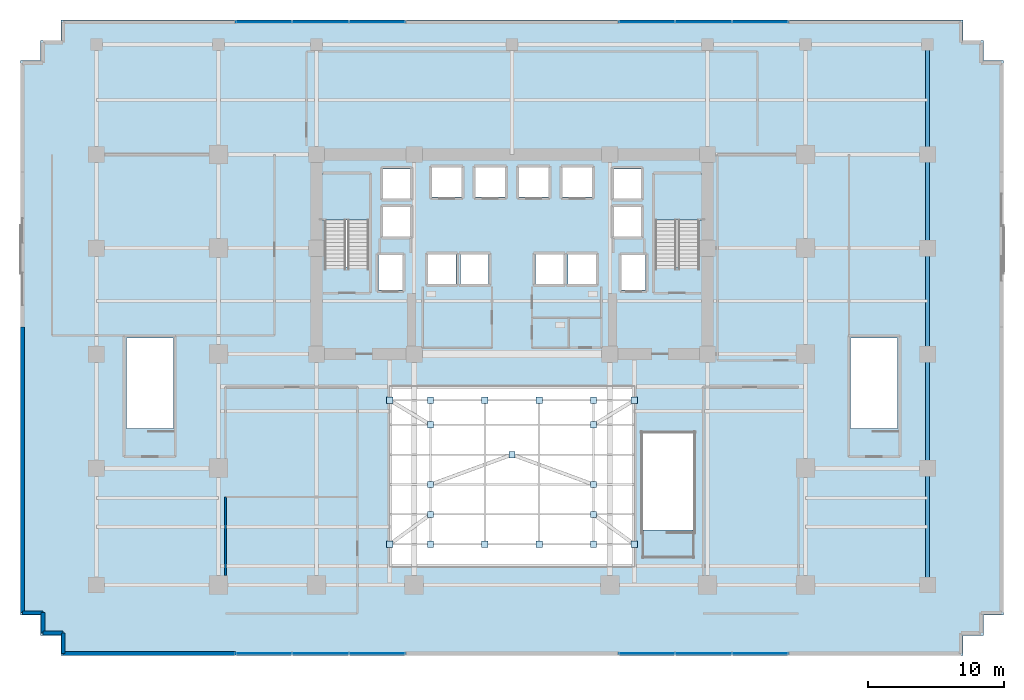
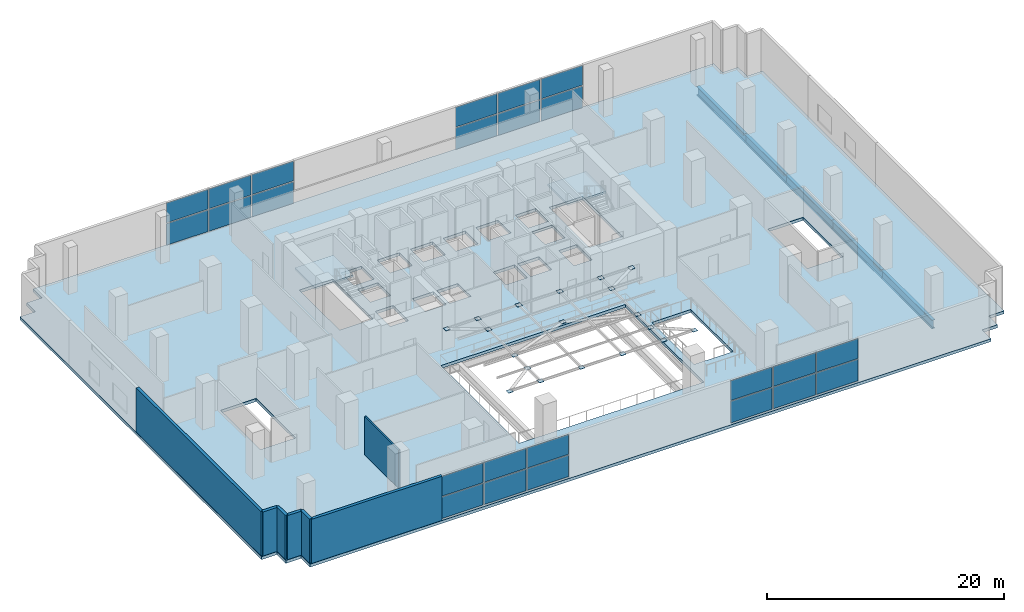
# One storey, part 14 of 22: 43 plates, 7 walls, 5 beams, 3 slabs, 6 elements without a shape of their own.
"""IFC4 building model written with IfcOpenShell, lengths in metres."""

from ifc_helpers import new_model, si_unit, direction, frame, frame_2d, origin, origin_2d, place, context, subcontext, project, spatial, polyline, rectangle, i_section, outline, extrude, source, transform, mapped, material, layer, layer_set, material_profile, profile_set, type_object, element, aggregate, save


model = new_model("IFC4")

# Units and contexts
model_context = context("Model", 3, precision=1e-05, world=origin(), true_north=direction((0.0, 1.0)))
body_context = subcontext(model_context, "Body", "Model", "MODEL_VIEW")
ifc_project = project(units=[si_unit("LENGTHUNIT", "METRE"), si_unit("AREAUNIT", "SQUARE_METRE"), si_unit("VOLUMEUNIT", "CUBIC_METRE"), si_unit("PLANEANGLEUNIT", "RADIAN"), si_unit("MASSUNIT", "GRAM", prefix="KILO")], contexts=[model_context])

# Site, building, storey
site_placement = place(None, origin())
site = spatial("IfcSite", under=ifc_project, at=site_placement, CompositionType="ELEMENT")
building_placement = place(site_placement, origin())
building = spatial("IfcBuilding", under=site, at=building_placement, Name="Zarnakvel Exchange Tower", CompositionType="ELEMENT")
storey_placement = place(building_placement, frame((0.0, 0.0, 22.60009765625)))
storey = spatial("IfcBuildingStorey", under=building, at=storey_placement, Name="L05", CompositionType="ELEMENT", Elevation=22.60009765625)

# Beams
ifc_material_1 = material(Name="Steel S355", Category="steel")
ifc_material_profile = material_profile(ifc_material_1, i_section(OverallWidth=0.300048828125, OverallDepth=0.89990234375, WebThickness=0.0185546875, FlangeThickness=0.034912109375, FilletRadius=0.030029296875, at=origin_2d()))
ifc_profile_set = profile_set([ifc_material_profile], Name="Steel S355")
beam_type = type_object("IfcBeamType", Name="G-01", PredefinedType="BEAM", material=ifc_profile_set)
beam_1_placement = place(storey_placement, frame((30.60009765625, -18.199951171875, -0.75), z_axis=(0.0, 1.0, 0.0), x_axis=(-1.0, 0.0, 0.0)))
element("IfcBeam", 1, at=beam_1_placement, inside=storey, type_object=beam_type, Name="L05 Primary N-S Girder X=+30.6", PredefinedType="BEAM", context=body_context, shape_type="SweptSolid", body=[
    extrude(i_section(OverallWidth=0.300048828125, OverallDepth=0.89990234375, WebThickness=0.0185546875, FlangeThickness=0.034912109375, FilletRadius=0.030029296875, at=origin_2d()), origin(), (0.0, 0.0, 1.0), 8.599853515625),
])
beam_2_placement = place(storey_placement, frame((30.60009765625, -9.60009765625, -0.75), z_axis=(0.0, 1.0, 0.0), x_axis=(-1.0, 0.0, 0.0)))
element("IfcBeam", 2, at=beam_2_placement, inside=storey, type_object=beam_type, Name="L05 Primary N-S Girder X=+30.6", PredefinedType="BEAM", context=body_context, shape_type="SweptSolid", body=[
    extrude(i_section(OverallWidth=0.300048828125, OverallDepth=0.89990234375, WebThickness=0.0185546875, FlangeThickness=0.034912109375, FilletRadius=0.030029296875, at=origin_2d()), origin(), (0.0, 0.0, 1.0), 8.400146484375),
])
beam_3_placement = place(storey_placement, frame((30.60009765625, -1.199951171875, -0.75), z_axis=(0.0, 1.0, 0.0), x_axis=(-1.0, 0.0, 0.0)))
element("IfcBeam", 3, at=beam_3_placement, inside=storey, type_object=beam_type, Name="L05 Primary N-S Girder X=+30.6", PredefinedType="BEAM", context=body_context, shape_type="SweptSolid", body=[
    extrude(i_section(OverallWidth=0.300048828125, OverallDepth=0.89990234375, WebThickness=0.0185546875, FlangeThickness=0.034912109375, FilletRadius=0.030029296875, at=origin_2d()), origin(), (0.0, 0.0, 1.0), 7.800048828125),
])
beam_4_placement = place(storey_placement, frame((30.60009765625, 6.60009765625, -0.75), z_axis=(0.0, 1.0, 0.0), x_axis=(-1.0, 0.0, 0.0)))
element("IfcBeam", 4, at=beam_4_placement, inside=storey, type_object=beam_type, Name="L05 Primary N-S Girder X=+30.6", PredefinedType="BEAM", context=body_context, shape_type="SweptSolid", body=[
    extrude(i_section(OverallWidth=0.300048828125, OverallDepth=0.89990234375, WebThickness=0.0185546875, FlangeThickness=0.034912109375, FilletRadius=0.030029296875, at=origin_2d()), origin(), (0.0, 0.0, 1.0), 6.89990234375),
])
beam_5_placement = place(storey_placement, frame((30.60009765625, 13.5, -0.75), z_axis=(0.0, 1.0, 0.0), x_axis=(-1.0, 0.0, 0.0)))
element("IfcBeam", 5, at=beam_5_placement, inside=storey, type_object=beam_type, Name="L05 Primary N-S Girder X=+30.6", PredefinedType="BEAM", context=body_context, shape_type="SweptSolid", body=[
    extrude(i_section(OverallWidth=0.300048828125, OverallDepth=0.89990234375, WebThickness=0.0185546875, FlangeThickness=0.034912109375, FilletRadius=0.030029296875, at=origin_2d()), origin(), (0.0, 0.0, 1.0), 8.10009765625),
])

# Stair, slab
ifc_material_2 = material(Name="Concrete C40/50", Category="concrete")
stair_type = type_object("IfcStairType", Name="STR-01", PredefinedType="HALF_TURN_STAIR", material=ifc_material_2)
stair_1_placement = place(storey_placement, origin())
stair_1 = element("IfcStair", 6, at=stair_1_placement, inside=storey, type_object=stair_type, Name="L05 Protected Core Exit Stair ST-01", PredefinedType="HALF_TURN_STAIR")
ifc_layer_1 = layer(ifc_material_2, 0.199951171875)
ifc_layer_set_1 = layer_set([ifc_layer_1], Name="Concrete C40/50")
slab_type_1 = type_object("IfcSlabType", Name="LDG-01", PredefinedType="LANDING", material=ifc_layer_set_1)
slab_1_placement = place(storey_placement, frame((0.0, 0.0, 2.199951171875)))
slab_1 = element("IfcSlab", 7, at=slab_1_placement, type_object=slab_type_1, Name="ST-01 landing 1", PredefinedType="LANDING", context=body_context, shape_type="SweptSolid", body=[
    extrude(outline(polyline([(-14.18994140625, 8.68994140625), (-10.4599609375, 8.68994140625), (-10.4599609375, 12.080078125), (-14.18994140625, 12.080078125), (-14.18994140625, 8.68994140625)])), origin(), (0.0, 0.0, 1.0), 0.199951171875),
])
aggregate(stair_1, [slab_1])

stair_2_placement = place(storey_placement, origin())
stair_2 = element("IfcStair", 8, at=stair_2_placement, inside=storey, type_object=stair_type, Name="L05 Protected Core Exit Stair ST-02", PredefinedType="HALF_TURN_STAIR")
slab_2_placement = place(storey_placement, frame((0.0, 0.0, 2.199951171875)))
slab_2 = element("IfcSlab", 9, at=slab_2_placement, type_object=slab_type_1, Name="ST-02 landing 1", PredefinedType="LANDING", context=body_context, shape_type="SweptSolid", body=[
    extrude(outline(polyline([(10.4599609375, 8.68994140625), (14.18994140625, 8.68994140625), (14.18994140625, 12.080078125), (10.4599609375, 12.080078125), (10.4599609375, 8.68994140625)])), origin(), (0.0, 0.0, 1.0), 0.199951171875),
])
aggregate(stair_2, [slab_2])

# Slab
ifc_layer_2 = layer(ifc_material_2, 0.300048828125)
ifc_layer_set_2 = layer_set([ifc_layer_2], Name="Concrete C40/50")
slab_type_2 = type_object("IfcSlabType", Name="SL-01", PredefinedType="FLOOR", material=ifc_layer_set_2)
slab_3_placement = place(storey_placement, frame((0.0, 0.0, -0.300048828125)))
element("IfcSlab", 10, at=slab_3_placement, inside=storey, type_object=slab_type_2, Name="L05 Primary Structural Floor Slab", PredefinedType="FLOOR", context=body_context, shape_type="SweptSolid", body=[
    extrude(outline(polyline([(-36.199951171875, -20.39990234375), (-34.699951171875, -20.39990234375), (-34.699951171875, -21.89990234375), (-33.199951171875, -21.89990234375), (-33.199951171875, -23.39990234375), (33.199951171875, -23.39990234375), (33.199951171875, -21.89990234375), (34.699951171875, -21.89990234375), (34.699951171875, -20.39990234375), (36.199951171875, -20.39990234375), (36.199951171875, 20.39990234375), (34.699951171875, 20.39990234375), (34.699951171875, 21.89990234375), (33.199951171875, 21.89990234375), (33.199951171875, 23.39990234375), (-33.199951171875, 23.39990234375), (-33.199951171875, 21.89990234375), (-34.699951171875, 21.89990234375), (-34.699951171875, 20.39990234375), (-36.199951171875, 20.39990234375), (-36.199951171875, -20.39990234375)]), holes=[polyline([(-9.0, -16.800048828125), (9.0, -16.800048828125), (9.0, -3.60009765625), (-9.0, -3.60009765625), (-9.0, -16.800048828125)]), polyline([(-13.800048828125, 5.2099609375), (-10.5400390625, 5.2099609375), (-10.5400390625, 12.0), (-13.800048828125, 12.0), (-13.800048828125, 5.2099609375)]), polyline([(10.5400390625, 5.2099609375), (13.800048828125, 5.2099609375), (13.800048828125, 12.0), (10.5400390625, 12.0), (10.5400390625, 5.2099609375)]), polyline([(-28.39990234375, -6.68994140625), (-24.93994140625, -6.68994140625), (-24.93994140625, 0.0), (-28.39990234375, 0.0), (-28.39990234375, -6.68994140625)]), polyline([(24.93994140625, -6.68994140625), (28.39990234375, -6.68994140625), (28.39990234375, 0.0), (24.93994140625, 0.0), (24.93994140625, -6.68994140625)]), polyline([(9.60009765625, -14.139892578125), (13.39990234375, -14.139892578125), (13.39990234375, -7.0), (9.60009765625, -7.0), (9.60009765625, -14.139892578125)]), polyline([(-9.830078125, 3.52001953125), (-8.070068359375, 3.52001953125), (-8.070068359375, 6.080078125), (-9.830078125, 6.080078125), (-9.830078125, 3.52001953125)]), polyline([(8.070068359375, 3.52001953125), (9.830078125, 3.52001953125), (9.830078125, 6.080078125), (8.070068359375, 6.080078125), (8.070068359375, 3.52001953125)]), polyline([(-5.8798828125, 10.3701171875), (-3.719970703125, 10.3701171875), (-3.719970703125, 12.530029296875), (-5.8798828125, 12.530029296875), (-5.8798828125, 10.3701171875)]), polyline([(-2.679931640625, 10.3701171875), (-0.52001953125, 10.3701171875), (-0.52001953125, 12.530029296875), (-2.679931640625, 12.530029296875), (-2.679931640625, 10.3701171875)]), polyline([(0.52001953125, 10.3701171875), (2.679931640625, 10.3701171875), (2.679931640625, 12.530029296875), (0.52001953125, 12.530029296875), (0.52001953125, 10.3701171875)]), polyline([(3.719970703125, 10.3701171875), (5.8798828125, 10.3701171875), (5.8798828125, 12.530029296875), (3.719970703125, 12.530029296875), (3.719970703125, 10.3701171875)]), polyline([(-6.179931640625, 3.969970703125), (-4.1201171875, 3.969970703125), (-4.1201171875, 6.1298828125), (-6.179931640625, 6.1298828125), (-6.179931640625, 3.969970703125)]), polyline([(-3.780029296875, 3.969970703125), (-1.719970703125, 3.969970703125), (-1.719970703125, 6.1298828125), (-3.780029296875, 6.1298828125), (-3.780029296875, 3.969970703125)]), polyline([(1.719970703125, 3.969970703125), (3.780029296875, 3.969970703125), (3.780029296875, 6.1298828125), (1.719970703125, 6.1298828125), (1.719970703125, 3.969970703125)]), polyline([(4.1201171875, 3.969970703125), (6.179931640625, 3.969970703125), (6.179931640625, 6.1298828125), (4.1201171875, 6.1298828125), (4.1201171875, 3.969970703125)]), polyline([(-9.47998046875, 7.469970703125), (-7.52001953125, 7.469970703125), (-7.52001953125, 9.6298828125), (-9.47998046875, 9.6298828125), (-9.47998046875, 7.469970703125)]), polyline([(-9.47998046875, 10.27001953125), (-7.52001953125, 10.27001953125), (-7.52001953125, 12.429931640625), (-9.47998046875, 12.429931640625), (-9.47998046875, 10.27001953125)]), polyline([(7.52001953125, 7.469970703125), (9.47998046875, 7.469970703125), (9.47998046875, 9.6298828125), (7.52001953125, 9.6298828125), (7.52001953125, 7.469970703125)]), polyline([(7.52001953125, 10.27001953125), (9.47998046875, 10.27001953125), (9.47998046875, 12.429931640625), (7.52001953125, 12.429931640625), (7.52001953125, 10.27001953125)])]), origin(), (0.0, 0.0, 1.0), 0.300048828125),
])

# Plates
ifc_layer_3 = layer(ifc_material_1, 0.028076171875)
ifc_layer_set_3 = layer_set([ifc_layer_3], Name="Steel S355")
plate_type_1 = type_object("IfcPlateType", Name="BP-02", PredefinedType="USERDEFINED", material=ifc_layer_set_3)
shared_shape_1 = source(origin(), body_context, "Body", "SweptSolid", [
    extrude(rectangle(XDim=0.4599609375, YDim=0.4599609375, at=origin_2d()), origin(), (0.0, 0.0, 1.0), 0.028076171875),
])
for number, where, z_axis, x_axis, name in (
    (11, (-6.0, -15.199951171875, 4.390625), (0.0, 0.0, 1.0), (1.0, 0.0, 0.0), "L05 Purlin End Cap Plate 1S"),
    (12, (-6.0, -4.60009765625, 4.390625), (0.0, 0.0, 1.0), (1.0, 0.0, 0.0), "L05 Purlin End Cap Plate 1N"),
    (13, (-2.0, -15.199951171875, 4.390625), (0.0, 0.0, 1.0), (1.0, 0.0, 0.0), "L05 Purlin End Cap Plate 2S"),
    (14, (-2.0, -4.60009765625, 4.390625), (0.0, 0.0, 1.0), (1.0, 0.0, 0.0), "L05 Purlin End Cap Plate 2N"),
    (15, (2.0, -15.199951171875, 4.390625), (0.0, 0.0, 1.0), (1.0, 0.0, 0.0), "L05 Purlin End Cap Plate 3S"),
    (16, (2.0, -4.60009765625, 4.390625), (0.0, 0.0, 1.0), (1.0, 0.0, 0.0), "L05 Purlin End Cap Plate 3N"),
    (17, (6.0, -15.199951171875, 4.390625), (0.0, 0.0, 1.0), (1.0, 0.0, 0.0), "L05 Purlin End Cap Plate 4S"),
    (18, (6.0, -4.60009765625, 4.390625), (0.0, 0.0, 1.0), (1.0, 0.0, 0.0), "L05 Purlin End Cap Plate 4N"),
    (19, (-9.0, -15.199951171875, 4.3759765625), (0.0, 0.0, 1.0), (1.0, 0.0, 0.0), "L05 Brace End Cap 1A"),
    (20, (-6.0, -13.0, 4.3759765625), (0.0, 0.0, 1.0), (1.0, 0.0, 0.0), "L05 Brace End Cap 1B"),
    (21, (9.0, -15.199951171875, 4.3759765625), (0.0, 0.0, 1.0), (1.0, 0.0, 0.0), "L05 Brace End Cap 2A"),
    (22, (6.0, -13.0, 4.3759765625), (0.0, 0.0, 1.0), (1.0, 0.0, 0.0), "L05 Brace End Cap 2B"),
    (23, (-9.0, -4.60009765625, 4.3759765625), (0.0, 0.0, 1.0), (1.0, 0.0, 0.0), "L05 Brace End Cap 3A"),
    (24, (-6.0, -6.39990234375, 4.3759765625), (0.0, 0.0, 1.0), (1.0, 0.0, 0.0), "L05 Brace End Cap 3B"),
    (25, (9.0, -4.60009765625, 4.3759765625), (0.0, 0.0, 1.0), (1.0, 0.0, 0.0), "L05 Brace End Cap 4A"),
    (26, (6.0, -6.39990234375, 4.3759765625), (0.0, 0.0, 1.0), (1.0, 0.0, 0.0), "L05 Brace End Cap 4B"),
    (27, (-6.0, -10.800048828125, 4.3759765625), (0.0, 0.0, 1.0), (1.0, 0.0, 0.0), "L05 Brace End Cap 5A"),
    (28, (0.0, -8.60009765625, 4.3759765625), (0.0, 0.0, 1.0), (1.0, 0.0, 0.0), "L05 Brace End Cap 5B"),
    (29, (6.0, -10.800048828125, 4.3759765625), (0.0, 0.0, 1.0), (1.0, 0.0, 0.0), "L05 Brace End Cap 6A"),
):
    element("IfcPlate", number, at=place(storey_placement, frame(where, z_axis=z_axis, x_axis=x_axis)), inside=storey, type_object=plate_type_1, Name=name, ObjectType="BASE_PLATE", PredefinedType="USERDEFINED", context=body_context, shape_type="MappedRepresentation", body=[
        mapped(shared_shape_1, transform((0.0, 0.0, 0.0), x_axis=(1.0, 0.0, 0.0), y_axis=(0.0, 1.0, 0.0), z_axis=(0.0, 0.0, 1.0), scale=1.0)),
    ])

# Curtain wall, plates
ifc_material_3 = material(Name="Architectural Bronze Anodised Aluminium", Category="aluminium")
ifc_layer_4 = layer(ifc_material_3, 0.260009765625)
ifc_layer_set_4 = layer_set([ifc_layer_4], Name="Architectural Bronze Anodised Aluminium")
curtain_wall_type = type_object("IfcCurtainWallType", Name="CW-01", PredefinedType="NOTDEFINED", material=ifc_layer_set_4)
curtain_wall_1_placement = place(storey_placement, origin())
curtain_wall_1 = element("IfcCurtainWall", 30, at=curtain_wall_1_placement, inside=storey, type_object=curtain_wall_type, Name="L05 Curtain Wall CW-L05-S1 (CW-01)", PredefinedType="NOTDEFINED")
ifc_material_4 = material(Name="Double Low-E Laminated Vision Glass", Category="glass")
ifc_layer_5 = layer(ifc_material_4, 0.035888671875)
ifc_layer_set_5 = layer_set([ifc_layer_5], Name="Double Low-E Laminated Vision Glass")
plate_type_2 = type_object("IfcPlateType", Name="CWP-01", PredefinedType="CURTAIN_PANEL", material=ifc_layer_set_5)
shared_shape_2 = source(origin(), body_context, "Body", "SweptSolid", [
    extrude(rectangle(XDim=4.050048828125, YDim=0.035888671875, at=origin_2d()), origin(), (0.0, 0.0, 1.0), 2.220703125),
])
plate_1_placement = place(storey_placement, frame((-18.27490234375, -23.239990234375, 0.08984375), z_axis=(0.0, 0.0, 1.0), x_axis=(1.0, 0.0, 0.0)))
plate_1 = element("IfcPlate", 31, at=plate_1_placement, type_object=plate_type_2, Name="CW-01 panel 1.1", PredefinedType="CURTAIN_PANEL", context=body_context, shape_type="MappedRepresentation", body=[
    mapped(shared_shape_2, transform((0.0, 0.0, 0.0), x_axis=(1.0, 0.0, 0.0), y_axis=(0.0, 1.0, 0.0), z_axis=(0.0, 0.0, 1.0), scale=1.0)),
])
plate_2_placement = place(storey_placement, frame((-9.925048828125, -23.239990234375, 0.08984375), z_axis=(0.0, 0.0, 1.0), x_axis=(1.0, 0.0, 0.0)))
plate_2 = element("IfcPlate", 32, at=plate_2_placement, type_object=plate_type_2, Name="CW-01 panel 3.1", PredefinedType="CURTAIN_PANEL", context=body_context, shape_type="MappedRepresentation", body=[
    mapped(shared_shape_2, transform((0.0, 0.0, 0.0), x_axis=(1.0, 0.0, 0.0), y_axis=(0.0, 1.0, 0.0), z_axis=(0.0, 0.0, 1.0), scale=1.0)),
])

curtain_wall_2_placement = place(storey_placement, origin())
curtain_wall_2 = element("IfcCurtainWall", 33, at=curtain_wall_2_placement, inside=storey, type_object=curtain_wall_type, Name="L05 Curtain Wall CW-L05-S2 (CW-01)", PredefinedType="NOTDEFINED")
plate_3_placement = place(storey_placement, frame((9.925048828125, -23.239990234375, 0.08984375), z_axis=(0.0, 0.0, 1.0), x_axis=(1.0, 0.0, 0.0)))
plate_3 = element("IfcPlate", 34, at=plate_3_placement, type_object=plate_type_2, Name="CW-01 panel 1.1", PredefinedType="CURTAIN_PANEL", context=body_context, shape_type="MappedRepresentation", body=[
    mapped(shared_shape_2, transform((0.0, 0.0, 0.0), x_axis=(1.0, 0.0, 0.0), y_axis=(0.0, 1.0, 0.0), z_axis=(0.0, 0.0, 1.0), scale=1.0)),
])
plate_4_placement = place(storey_placement, frame((18.27490234375, -23.239990234375, 0.08984375), z_axis=(0.0, 0.0, 1.0), x_axis=(1.0, 0.0, 0.0)))
plate_4 = element("IfcPlate", 35, at=plate_4_placement, type_object=plate_type_2, Name="CW-01 panel 3.1", PredefinedType="CURTAIN_PANEL", context=body_context, shape_type="MappedRepresentation", body=[
    mapped(shared_shape_2, transform((0.0, 0.0, 0.0), x_axis=(1.0, 0.0, 0.0), y_axis=(0.0, 1.0, 0.0), z_axis=(0.0, 0.0, 1.0), scale=1.0)),
])

curtain_wall_3_placement = place(storey_placement, origin())
curtain_wall_3 = element("IfcCurtainWall", 36, at=curtain_wall_3_placement, inside=storey, type_object=curtain_wall_type, Name="L05 Curtain Wall CW-L05-N1 (CW-01)", PredefinedType="NOTDEFINED")
plate_5_placement = place(storey_placement, frame((-18.27490234375, 23.239990234375, 0.08984375), z_axis=(0.0, 0.0, 1.0), x_axis=(1.0, 0.0, 0.0)))
plate_5 = element("IfcPlate", 37, at=plate_5_placement, type_object=plate_type_2, Name="CW-01 panel 1.1", PredefinedType="CURTAIN_PANEL", context=body_context, shape_type="MappedRepresentation", body=[
    mapped(shared_shape_2, transform((0.0, 0.0, 0.0), x_axis=(1.0, 0.0, 0.0), y_axis=(0.0, 1.0, 0.0), z_axis=(0.0, 0.0, 1.0), scale=1.0)),
])
plate_6_placement = place(storey_placement, frame((-9.925048828125, 23.239990234375, 0.08984375), z_axis=(0.0, 0.0, 1.0), x_axis=(1.0, 0.0, 0.0)))
plate_6 = element("IfcPlate", 38, at=plate_6_placement, type_object=plate_type_2, Name="CW-01 panel 3.1", PredefinedType="CURTAIN_PANEL", context=body_context, shape_type="MappedRepresentation", body=[
    mapped(shared_shape_2, transform((0.0, 0.0, 0.0), x_axis=(1.0, 0.0, 0.0), y_axis=(0.0, 1.0, 0.0), z_axis=(0.0, 0.0, 1.0), scale=1.0)),
])

curtain_wall_4_placement = place(storey_placement, origin())
curtain_wall_4 = element("IfcCurtainWall", 39, at=curtain_wall_4_placement, inside=storey, type_object=curtain_wall_type, Name="L05 Curtain Wall CW-L05-N2 (CW-01)", PredefinedType="NOTDEFINED")
plate_7_placement = place(storey_placement, frame((9.925048828125, 23.239990234375, 0.08984375), z_axis=(0.0, 0.0, 1.0), x_axis=(1.0, 0.0, 0.0)))
plate_7 = element("IfcPlate", 40, at=plate_7_placement, type_object=plate_type_2, Name="CW-01 panel 1.1", PredefinedType="CURTAIN_PANEL", context=body_context, shape_type="MappedRepresentation", body=[
    mapped(shared_shape_2, transform((0.0, 0.0, 0.0), x_axis=(1.0, 0.0, 0.0), y_axis=(0.0, 1.0, 0.0), z_axis=(0.0, 0.0, 1.0), scale=1.0)),
])
plate_8_placement = place(storey_placement, frame((18.27490234375, 23.239990234375, 0.08984375), z_axis=(0.0, 0.0, 1.0), x_axis=(1.0, 0.0, 0.0)))
plate_8 = element("IfcPlate", 41, at=plate_8_placement, type_object=plate_type_2, Name="CW-01 panel 3.1", PredefinedType="CURTAIN_PANEL", context=body_context, shape_type="MappedRepresentation", body=[
    mapped(shared_shape_2, transform((0.0, 0.0, 0.0), x_axis=(1.0, 0.0, 0.0), y_axis=(0.0, 1.0, 0.0), z_axis=(0.0, 0.0, 1.0), scale=1.0)),
])

# Plate
shared_shape_3 = source(origin(), body_context, "Body", "SweptSolid", [
    extrude(rectangle(XDim=4.050048828125, YDim=0.035888671875, at=origin_2d()), origin(), (0.0, 0.0, 1.0), 2.039306640625),
])
plate_9_placement = place(storey_placement, frame((-18.27490234375, -23.239990234375, 2.400390625), z_axis=(0.0, 0.0, 1.0), x_axis=(1.0, 0.0, 0.0)))
plate_9 = element("IfcPlate", 42, at=plate_9_placement, type_object=plate_type_2, Name="CW-01 panel 1.2", PredefinedType="CURTAIN_PANEL", context=body_context, shape_type="MappedRepresentation", body=[
    mapped(shared_shape_3, transform((0.0, 0.0, 0.0), x_axis=(1.0, 0.0, 0.0), y_axis=(0.0, 1.0, 0.0), z_axis=(0.0, 0.0, 1.0), scale=1.0)),
])

plate_10_placement = place(storey_placement, frame((-9.925048828125, -23.239990234375, 2.400390625), z_axis=(0.0, 0.0, 1.0), x_axis=(1.0, 0.0, 0.0)))
plate_10 = element("IfcPlate", 43, at=plate_10_placement, type_object=plate_type_2, Name="CW-01 panel 3.2", PredefinedType="CURTAIN_PANEL", context=body_context, shape_type="MappedRepresentation", body=[
    mapped(shared_shape_3, transform((0.0, 0.0, 0.0), x_axis=(1.0, 0.0, 0.0), y_axis=(0.0, 1.0, 0.0), z_axis=(0.0, 0.0, 1.0), scale=1.0)),
])

plate_11_placement = place(storey_placement, frame((9.925048828125, -23.239990234375, 2.400390625), z_axis=(0.0, 0.0, 1.0), x_axis=(1.0, 0.0, 0.0)))
plate_11 = element("IfcPlate", 44, at=plate_11_placement, type_object=plate_type_2, Name="CW-01 panel 1.2", PredefinedType="CURTAIN_PANEL", context=body_context, shape_type="MappedRepresentation", body=[
    mapped(shared_shape_3, transform((0.0, 0.0, 0.0), x_axis=(1.0, 0.0, 0.0), y_axis=(0.0, 1.0, 0.0), z_axis=(0.0, 0.0, 1.0), scale=1.0)),
])

plate_12_placement = place(storey_placement, frame((18.27490234375, -23.239990234375, 2.400390625), z_axis=(0.0, 0.0, 1.0), x_axis=(1.0, 0.0, 0.0)))
plate_12 = element("IfcPlate", 45, at=plate_12_placement, type_object=plate_type_2, Name="CW-01 panel 3.2", PredefinedType="CURTAIN_PANEL", context=body_context, shape_type="MappedRepresentation", body=[
    mapped(shared_shape_3, transform((0.0, 0.0, 0.0), x_axis=(1.0, 0.0, 0.0), y_axis=(0.0, 1.0, 0.0), z_axis=(0.0, 0.0, 1.0), scale=1.0)),
])

plate_13_placement = place(storey_placement, frame((-18.27490234375, 23.239990234375, 2.400390625), z_axis=(0.0, 0.0, 1.0), x_axis=(1.0, 0.0, 0.0)))
plate_13 = element("IfcPlate", 46, at=plate_13_placement, type_object=plate_type_2, Name="CW-01 panel 1.2", PredefinedType="CURTAIN_PANEL", context=body_context, shape_type="MappedRepresentation", body=[
    mapped(shared_shape_3, transform((0.0, 0.0, 0.0), x_axis=(1.0, 0.0, 0.0), y_axis=(0.0, 1.0, 0.0), z_axis=(0.0, 0.0, 1.0), scale=1.0)),
])

plate_14_placement = place(storey_placement, frame((-9.925048828125, 23.239990234375, 2.400390625), z_axis=(0.0, 0.0, 1.0), x_axis=(1.0, 0.0, 0.0)))
plate_14 = element("IfcPlate", 47, at=plate_14_placement, type_object=plate_type_2, Name="CW-01 panel 3.2", PredefinedType="CURTAIN_PANEL", context=body_context, shape_type="MappedRepresentation", body=[
    mapped(shared_shape_3, transform((0.0, 0.0, 0.0), x_axis=(1.0, 0.0, 0.0), y_axis=(0.0, 1.0, 0.0), z_axis=(0.0, 0.0, 1.0), scale=1.0)),
])

plate_15_placement = place(storey_placement, frame((9.925048828125, 23.239990234375, 2.400390625), z_axis=(0.0, 0.0, 1.0), x_axis=(1.0, 0.0, 0.0)))
plate_15 = element("IfcPlate", 48, at=plate_15_placement, type_object=plate_type_2, Name="CW-01 panel 1.2", PredefinedType="CURTAIN_PANEL", context=body_context, shape_type="MappedRepresentation", body=[
    mapped(shared_shape_3, transform((0.0, 0.0, 0.0), x_axis=(1.0, 0.0, 0.0), y_axis=(0.0, 1.0, 0.0), z_axis=(0.0, 0.0, 1.0), scale=1.0)),
])

plate_16_placement = place(storey_placement, frame((18.27490234375, 23.239990234375, 2.400390625), z_axis=(0.0, 0.0, 1.0), x_axis=(1.0, 0.0, 0.0)))
plate_16 = element("IfcPlate", 49, at=plate_16_placement, type_object=plate_type_2, Name="CW-01 panel 3.2", PredefinedType="CURTAIN_PANEL", context=body_context, shape_type="MappedRepresentation", body=[
    mapped(shared_shape_3, transform((0.0, 0.0, 0.0), x_axis=(1.0, 0.0, 0.0), y_axis=(0.0, 1.0, 0.0), z_axis=(0.0, 0.0, 1.0), scale=1.0)),
])

shared_shape_4 = source(origin(), body_context, "Body", "SweptSolid", [
    extrude(rectangle(XDim=4.10009765625, YDim=0.035888671875, at=origin_2d()), origin(), (0.0, 0.0, 1.0), 2.220703125),
])
plate_17_placement = place(storey_placement, frame((-14.10009765625, -23.239990234375, 0.08984375), z_axis=(0.0, 0.0, 1.0), x_axis=(1.0, 0.0, 0.0)))
plate_17 = element("IfcPlate", 50, at=plate_17_placement, type_object=plate_type_2, Name="CW-01 panel 2.1", PredefinedType="CURTAIN_PANEL", context=body_context, shape_type="MappedRepresentation", body=[
    mapped(shared_shape_4, transform((0.0, 0.0, 0.0), x_axis=(1.0, 0.0, 0.0), y_axis=(0.0, 1.0, 0.0), z_axis=(0.0, 0.0, 1.0), scale=1.0)),
])

plate_18_placement = place(storey_placement, frame((14.10009765625, -23.239990234375, 0.08984375), z_axis=(0.0, 0.0, 1.0), x_axis=(1.0, 0.0, 0.0)))
plate_18 = element("IfcPlate", 51, at=plate_18_placement, type_object=plate_type_2, Name="CW-01 panel 2.1", PredefinedType="CURTAIN_PANEL", context=body_context, shape_type="MappedRepresentation", body=[
    mapped(shared_shape_4, transform((0.0, 0.0, 0.0), x_axis=(1.0, 0.0, 0.0), y_axis=(0.0, 1.0, 0.0), z_axis=(0.0, 0.0, 1.0), scale=1.0)),
])

plate_19_placement = place(storey_placement, frame((-14.10009765625, 23.239990234375, 0.08984375), z_axis=(0.0, 0.0, 1.0), x_axis=(1.0, 0.0, 0.0)))
plate_19 = element("IfcPlate", 52, at=plate_19_placement, type_object=plate_type_2, Name="CW-01 panel 2.1", PredefinedType="CURTAIN_PANEL", context=body_context, shape_type="MappedRepresentation", body=[
    mapped(shared_shape_4, transform((0.0, 0.0, 0.0), x_axis=(1.0, 0.0, 0.0), y_axis=(0.0, 1.0, 0.0), z_axis=(0.0, 0.0, 1.0), scale=1.0)),
])

plate_20_placement = place(storey_placement, frame((14.10009765625, 23.239990234375, 0.08984375), z_axis=(0.0, 0.0, 1.0), x_axis=(1.0, 0.0, 0.0)))
plate_20 = element("IfcPlate", 53, at=plate_20_placement, type_object=plate_type_2, Name="CW-01 panel 2.1", PredefinedType="CURTAIN_PANEL", context=body_context, shape_type="MappedRepresentation", body=[
    mapped(shared_shape_4, transform((0.0, 0.0, 0.0), x_axis=(1.0, 0.0, 0.0), y_axis=(0.0, 1.0, 0.0), z_axis=(0.0, 0.0, 1.0), scale=1.0)),
])

shared_shape_5 = source(origin(), body_context, "Body", "SweptSolid", [
    extrude(rectangle(XDim=4.10009765625, YDim=0.035888671875, at=origin_2d()), origin(), (0.0, 0.0, 1.0), 2.039306640625),
])
plate_21_placement = place(storey_placement, frame((-14.10009765625, -23.239990234375, 2.400390625), z_axis=(0.0, 0.0, 1.0), x_axis=(1.0, 0.0, 0.0)))
plate_21 = element("IfcPlate", 54, at=plate_21_placement, type_object=plate_type_2, Name="CW-01 panel 2.2", PredefinedType="CURTAIN_PANEL", context=body_context, shape_type="MappedRepresentation", body=[
    mapped(shared_shape_5, transform((0.0, 0.0, 0.0), x_axis=(1.0, 0.0, 0.0), y_axis=(0.0, 1.0, 0.0), z_axis=(0.0, 0.0, 1.0), scale=1.0)),
])

aggregate(curtain_wall_1, [plate_1, plate_9, plate_17, plate_21, plate_2, plate_10])

plate_22_placement = place(storey_placement, frame((14.10009765625, -23.239990234375, 2.400390625), z_axis=(0.0, 0.0, 1.0), x_axis=(1.0, 0.0, 0.0)))
plate_22 = element("IfcPlate", 55, at=plate_22_placement, type_object=plate_type_2, Name="CW-01 panel 2.2", PredefinedType="CURTAIN_PANEL", context=body_context, shape_type="MappedRepresentation", body=[
    mapped(shared_shape_5, transform((0.0, 0.0, 0.0), x_axis=(1.0, 0.0, 0.0), y_axis=(0.0, 1.0, 0.0), z_axis=(0.0, 0.0, 1.0), scale=1.0)),
])

aggregate(curtain_wall_2, [plate_3, plate_11, plate_18, plate_22, plate_4, plate_12])

plate_23_placement = place(storey_placement, frame((-14.10009765625, 23.239990234375, 2.400390625), z_axis=(0.0, 0.0, 1.0), x_axis=(1.0, 0.0, 0.0)))
plate_23 = element("IfcPlate", 56, at=plate_23_placement, type_object=plate_type_2, Name="CW-01 panel 2.2", PredefinedType="CURTAIN_PANEL", context=body_context, shape_type="MappedRepresentation", body=[
    mapped(shared_shape_5, transform((0.0, 0.0, 0.0), x_axis=(1.0, 0.0, 0.0), y_axis=(0.0, 1.0, 0.0), z_axis=(0.0, 0.0, 1.0), scale=1.0)),
])

aggregate(curtain_wall_3, [plate_5, plate_13, plate_19, plate_23, plate_6, plate_14])

plate_24_placement = place(storey_placement, frame((14.10009765625, 23.239990234375, 2.400390625), z_axis=(0.0, 0.0, 1.0), x_axis=(1.0, 0.0, 0.0)))
plate_24 = element("IfcPlate", 57, at=plate_24_placement, type_object=plate_type_2, Name="CW-01 panel 2.2", PredefinedType="CURTAIN_PANEL", context=body_context, shape_type="MappedRepresentation", body=[
    mapped(shared_shape_5, transform((0.0, 0.0, 0.0), x_axis=(1.0, 0.0, 0.0), y_axis=(0.0, 1.0, 0.0), z_axis=(0.0, 0.0, 1.0), scale=1.0)),
])

aggregate(curtain_wall_4, [plate_7, plate_15, plate_20, plate_24, plate_8, plate_16])

# Walls
ifc_material_5 = material(Name="Precast concrete C40/50", Category="concrete")
ifc_layer_6 = layer(ifc_material_5, 0.280029296875)
ifc_layer_set_6 = layer_set([ifc_layer_6], Name="Precast concrete C40/50")
wall_type_1 = type_object("IfcWallType", Name="EW-01", PredefinedType="SOLIDWALL", material=ifc_layer_set_6)
wall_1_placement = place(storey_placement, frame((-36.0400390625, 0.800048828125, 0.0), z_axis=(0.0, 0.0, 1.0), x_axis=(0.0, -1.0, 0.0)))
element("IfcWall", 58, at=wall_1_placement, inside=storey, type_object=wall_type_1, Name="L05 Exterior Precast Spandrel Wall EWC-L05-01 (EW-01)", PredefinedType="SOLIDWALL", context=body_context, shape_type="SweptSolid", body=[
    extrude(rectangle(XDim=21.0400390625, YDim=0.280029296875, at=frame_2d((10.52001953125, 0.0))), origin(), (0.0, 0.0, 1.0), 4.5498046875),
])
wall_2_placement = place(storey_placement, frame((-33.0400390625, -23.239990234375, 0.0), z_axis=(0.0, 0.0, 1.0), x_axis=(1.0, 0.0, 0.0)))
element("IfcWall", 59, at=wall_2_placement, inside=storey, type_object=wall_type_1, Name="L05 Exterior Precast Spandrel Wall EWC-L05-22 (EW-01)", PredefinedType="SOLIDWALL", context=body_context, shape_type="SweptSolid", body=[
    extrude(rectangle(XDim=12.735107421875, YDim=0.280029296875, at=frame_2d((6.36767578125, 0.0))), origin(), (0.0, 0.0, 1.0), 4.5498046875),
])
for number, where, z_axis, x_axis, name in (
    (60, (-33.0400390625, -21.739990234375, 0.0), (0.0, 0.0, 1.0), (0.0, -1.0, 0.0), "L05 Exterior Precast Spandrel Wall EWC-L05-23 (EW-01)"),
    (61, (-34.5400390625, -21.739990234375, 0.0), (0.0, 0.0, 1.0), (1.0, 0.0, 0.0), "L05 Exterior Precast Spandrel Wall EWC-L05-24 (EW-01)"),
    (62, (-34.5400390625, -20.239990234375, 0.0), (0.0, 0.0, 1.0), (0.0, -1.0, 0.0), "L05 Exterior Precast Spandrel Wall EWC-L05-25 (EW-01)"),
    (63, (-36.0400390625, -20.239990234375, 0.0), (0.0, 0.0, 1.0), (1.0, 0.0, 0.0), "L05 Exterior Precast Spandrel Wall EWC-L05-26 (EW-01)"),
):
    element("IfcWall", number, at=place(storey_placement, frame(where, z_axis=z_axis, x_axis=x_axis)), inside=storey, type_object=wall_type_1, Name=name, PredefinedType="SOLIDWALL", context=body_context, shape_type="SweptSolid", body=[
        extrude(rectangle(XDim=1.5, YDim=0.280029296875, at=frame_2d((0.75, 0.0))), origin(), (0.0, 0.0, 1.0), 4.5498046875),
    ])
ifc_material_6 = material(Name="Fire-Rated Gypsum Stud Partition", Category="gypsum")
ifc_layer_7 = layer(ifc_material_6, 0.14990234375)
ifc_layer_set_7 = layer_set([ifc_layer_7], Name="Fire-Rated Gypsum Stud Partition")
wall_type_2 = type_object("IfcWallType", Name="PT-01", PredefinedType="PARTITIONING", material=ifc_layer_set_7)
wall_3_placement = place(storey_placement, frame((-21.080078125, -17.47998046875, 0.0), z_axis=(0.0, 0.0, 1.0), x_axis=(0.0, 1.0, 0.0)))
element("IfcWall", 64, at=wall_3_placement, inside=storey, type_object=wall_type_2, Name="L05 Partition Wall PWALL-L05-032 (PT-01)", PredefinedType="PARTITIONING", context=body_context, shape_type="SweptSolid", body=[
    extrude(rectangle(XDim=5.760009765625, YDim=0.14990234375, at=frame_2d((2.8798828125, 0.0))), origin(), (0.0, 0.0, 1.0), 3.93994140625),
])

save(model, "model.ifc")
